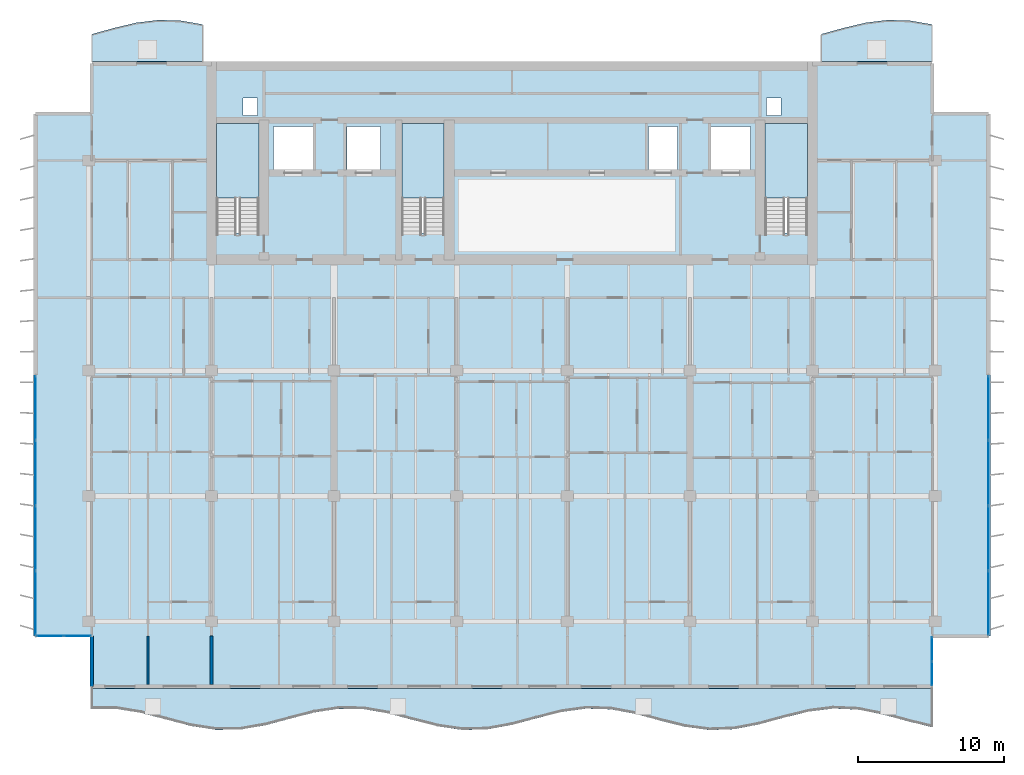
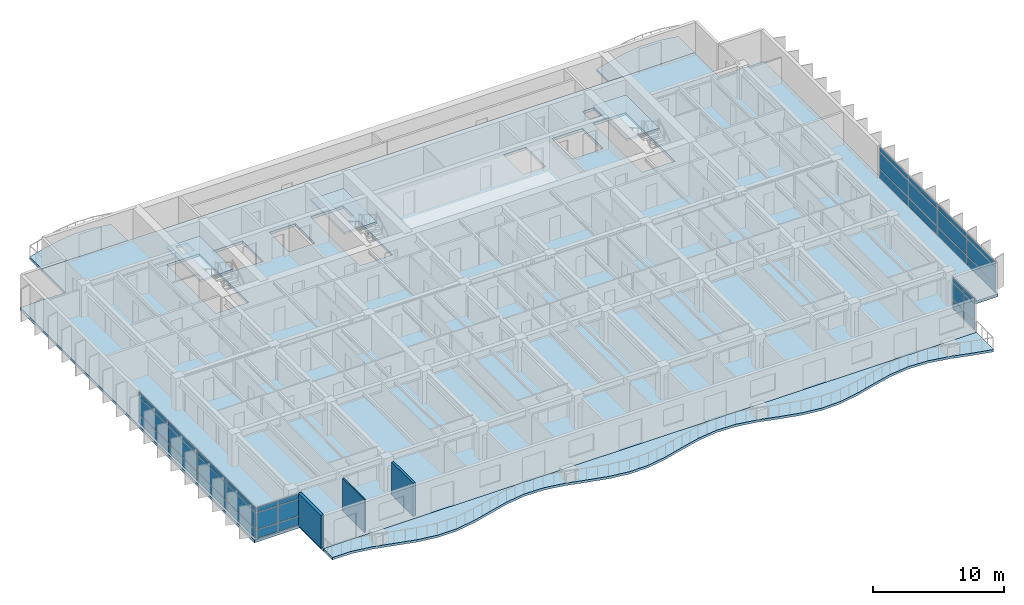
# One storey, part 7 of 19: 36 plates, 7 slabs, 3 walls, 7 elements without a shape of their own.
"""IFC4 building model written with IfcOpenShell, lengths in metres."""

import ifcopenshell
import ifcopenshell.guid

model = None  # the IFC model being written
_history = None  # IfcOwnerHistory: only IFC2X3 demands one
_inside = {}  # id of a spatial element -> (the spatial element, [elements in it])
_under = {}  # id of a project, library or spatial element -> (it, [spatial elements below it])
_declared = {}  # id of a project -> (the project, [libraries it declares])
_typed = {}  # id of a type object -> (the type object, [elements of that type])
_made_of = {}  # id of a material, layer set ... -> (it, [elements and type objects made of it])


def new_model(schema):
    """Start an empty IFC model of exactly this schema.

    Asked for "IFC4X3", IfcOpenShell would pick the latest addendum, in which some entities
    have other attributes; the version numbers below select the first issue.
    IFC2X3 requires an IfcOwnerHistory on every rooted entity: one is made here for all.
    """
    global model, _history
    if schema == "IFC4X3":
        model = ifcopenshell.file(schema_version=(4, 3, 0, 0))
    else:
        model = ifcopenshell.file(schema=schema)
    _inside.clear()
    _under.clear()
    _declared.clear()
    _typed.clear()
    _made_of.clear()
    _history = None
    if model.schema == "IFC2X3":
        org = make("IfcOrganization", Name="unknown")
        user = make(
            "IfcPersonAndOrganization",
            ThePerson=make("IfcPerson", FamilyName="unknown"),
            TheOrganization=org,
        )
        app = make(
            "IfcApplication",
            ApplicationDeveloper=org,
            Version="unknown",
            ApplicationFullName="unknown",
            ApplicationIdentifier="unknown",
        )
        _history = make(
            "IfcOwnerHistory",
            OwningUser=user,
            OwningApplication=app,
            ChangeAction="ADDED",
            CreationDate=0,
        )
    return model


def make(cls, **values):
    """One entity of the class cls with the attributes given. An attribute that is None is left unset."""
    return model.create_entity(
        cls, **{name: value for name, value in values.items() if value is not None}
    )


def rooted(cls, **values):
    """An entity with a GlobalId (a new one), such as an element, a storey or a relation."""
    return make(cls, GlobalId=ifcopenshell.guid.new(), OwnerHistory=_history, **values)


def si_unit(unit_type, name, prefix=None):
    """IfcSIUnit, for example si_unit("LENGTHUNIT", "METRE", prefix="MILLI")."""
    return make("IfcSIUnit", UnitType=unit_type, Prefix=prefix, Name=name)


def assignment(units):
    """IfcUnitAssignment: the units of a project."""
    return None if units is None else make("IfcUnitAssignment", Units=units)


def point(xyz):
    """IfcCartesianPoint."""
    return None if xyz is None else make("IfcCartesianPoint", Coordinates=xyz)


def direction(xyz):
    """IfcDirection."""
    return None if xyz is None else make("IfcDirection", DirectionRatios=xyz)


def frame(location, z_axis=None, x_axis=None):
    """IfcAxis2Placement3D, a coordinate frame: its origin and axes. An axis left out is left unset."""
    return make(
        "IfcAxis2Placement3D",
        Location=point(location),
        Axis=direction(z_axis),
        RefDirection=direction(x_axis),
    )


def frame_2d(location, x_axis=None):
    """IfcAxis2Placement2D, a coordinate frame in the plane: its origin and x axis."""
    return make(
        "IfcAxis2Placement2D", Location=point(location), RefDirection=direction(x_axis)
    )


def origin():
    """The frame at (0, 0, 0) with its axes left unset."""
    return frame((0.0, 0.0, 0.0))


def origin_2d():
    """The frame at (0, 0) in the plane with its x axis left unset."""
    return frame_2d((0.0, 0.0))


def place(relative_to, where):
    """IfcLocalPlacement: puts the frame where relative to a parent placement (None: the world)."""
    return make(
        "IfcLocalPlacement", PlacementRelTo=relative_to, RelativePlacement=where
    )


def context(
    kind, dimensions, precision=None, world=None, true_north=None, identifier=None
):
    """IfcGeometricRepresentationContext, for example the 3D "Model" context."""
    return make(
        "IfcGeometricRepresentationContext",
        ContextIdentifier=identifier,
        ContextType=kind,
        CoordinateSpaceDimension=dimensions,
        Precision=precision,
        WorldCoordinateSystem=world,
        TrueNorth=true_north,
    )


def subcontext(parent, identifier, kind, view, scale=None):
    """IfcGeometricRepresentationSubContext, for example "Body" below "Model"."""
    return make(
        "IfcGeometricRepresentationSubContext",
        ContextIdentifier=identifier,
        ContextType=kind,
        ParentContext=parent,
        TargetScale=scale,
        TargetView=view,
    )


def project(units=None, contexts=None):
    """IfcProject with its units and contexts."""
    return rooted(
        "IfcProject",
        Name="project",
        RepresentationContexts=contexts,
        UnitsInContext=assignment(units),
    )


def spatial(cls, under=None, at=None, **own):
    """A site, building, storey or space (cls), placed at a placement, below another one or the project."""
    s = rooted(cls, ObjectPlacement=at, **own)
    if under is not None:
        _under.setdefault(under.id(), (under, []))[1].append(s)
    return s


def polyline(points):
    """IfcPolyline through the points."""
    return make("IfcPolyline", Points=[point(p) for p in points])


def profile(cls, at=None, kind="AREA", **sizes):
    """A parametric profile (cls). Its sizes go by their IFC names, for example OverallWidth=200.0."""
    return make(cls, ProfileType=kind, Position=at, **sizes)


def rectangle(**sizes):
    """IfcRectangleProfileDef."""
    return profile("IfcRectangleProfileDef", **sizes)


def outline(outer, holes=None, kind="AREA"):
    """IfcArbitraryClosedProfileDef: a profile drawn as a closed curve; with holes, ...WithVoids."""
    if holes is None:
        return make("IfcArbitraryClosedProfileDef", ProfileType=kind, OuterCurve=outer)
    return make(
        "IfcArbitraryProfileDefWithVoids",
        ProfileType=kind,
        OuterCurve=outer,
        InnerCurves=holes,
    )


def extrude(swept, where, along, depth):
    """IfcExtrudedAreaSolid: the profile swept, set in the frame where, extruded along a direction by depth."""
    return make(
        "IfcExtrudedAreaSolid",
        SweptArea=swept,
        Position=where,
        ExtrudedDirection=direction(along),
        Depth=depth,
    )


def shape(context_of_items, identifier, shape_type, items):
    """IfcShapeRepresentation: the items that make up one representation, for example the "Body"."""
    return make(
        "IfcShapeRepresentation",
        ContextOfItems=context_of_items,
        RepresentationIdentifier=identifier,
        RepresentationType=shape_type,
        Items=items,
    )


def material(Name=None, Category=None):
    """IfcMaterial."""
    return make("IfcMaterial", Name=Name, Category=Category)


def layer(
    of_material, thickness, ventilated=None, Name=None, Category=None, Priority=None
):
    """IfcMaterialLayer: one layer of a wall or slab, of a material (None: an air gap)."""
    return make(
        "IfcMaterialLayer",
        Material=of_material,
        LayerThickness=thickness,
        IsVentilated=ventilated,
        Name=Name,
        Category=Category,
        Priority=Priority,
    )


def layer_set(layers, Name=None):
    """IfcMaterialLayerSet."""
    return make("IfcMaterialLayerSet", MaterialLayers=layers, LayerSetName=Name)


def made_of(thing, what):
    """Note that an element or type object is made of a material, layer set ...; save() writes the relation."""
    if what is not None:
        _made_of.setdefault(what.id(), (what, []))[1].append(thing)
    return thing


def type_object(cls, material=None, **own):
    """A type object (cls), such as IfcWallType, which elements share."""
    return made_of(rooted(cls, **own), material)


def element(
    cls,
    number,
    at=None,
    inside=None,
    cuts=None,
    type_object=None,
    material=None,
    context=None,
    identifier="Body",
    shape_type=None,
    held_by="IfcProductDefinitionShape",
    body=None,
    shapes=None,
    **own,
):
    """One element of the class cls, such as IfcWall. Its Tag is "e" and its number.

    at: its placement. inside: the storey or other place that contains it. cuts: it is an
    opening in that element (IfcRelVoidsElement). A single representation is given by context,
    identifier, shape_type and body (its items); several are given by shapes. held_by: the class
    of the entity that holds the representations. save() writes the other relations.
    """
    e = rooted(cls, Tag="e%d" % number, ObjectPlacement=at, **own)
    if body is not None:
        shapes = [shape(context, identifier, shape_type, body)]
    if shapes is not None:
        e.Representation = make(held_by, Representations=shapes)
    if inside is not None:
        _inside.setdefault(inside.id(), (inside, []))[1].append(e)
    if cuts is not None:
        rooted(
            "IfcRelVoidsElement", RelatingBuildingElement=cuts, RelatedOpeningElement=e
        )
    if type_object is not None:
        _typed.setdefault(type_object.id(), (type_object, []))[1].append(e)
    return made_of(e, material)


def aggregate(whole, parts):
    """IfcRelAggregates: a whole, such as a stair, and the parts it consists of."""
    return rooted("IfcRelAggregates", RelatingObject=whole, RelatedObjects=parts)


def save(model, path):
    """Write the relations noted so far, then the file.

    IfcRelAggregates (storeys below a building ...), IfcRelContainedInSpatialStructure (elements
    in a storey), IfcRelDefinesByType, IfcRelAssociatesMaterial and IfcRelDeclares: one each for
    every whole, place, type object, material and project.
    """
    for whole, parts in _under.values():
        aggregate(whole, parts)
    for where, things in _inside.values():
        rooted(
            "IfcRelContainedInSpatialStructure",
            RelatedElements=things,
            RelatingStructure=where,
        )
    for kind, things in _typed.values():
        rooted("IfcRelDefinesByType", RelatedObjects=things, RelatingType=kind)
    for what, things in _made_of.values():
        rooted("IfcRelAssociatesMaterial", RelatedObjects=things, RelatingMaterial=what)
    for by, libraries in _declared.values():
        rooted("IfcRelDeclares", RelatingContext=by, RelatedDefinitions=libraries)
    model.write(path)


model = new_model("IFC4")

# Units and contexts
model_context = context("Model", 3, precision=1e-05, world=origin(), true_north=direction((0.0, 1.0)))
body_context = subcontext(model_context, "Body", "Model", "MODEL_VIEW")
ifc_project = project(units=[si_unit("LENGTHUNIT", "METRE"), si_unit("AREAUNIT", "SQUARE_METRE"), si_unit("VOLUMEUNIT", "CUBIC_METRE"), si_unit("PLANEANGLEUNIT", "RADIAN"), si_unit("MASSUNIT", "GRAM", prefix="KILO")], contexts=[model_context])

# Site, building, storey
site_placement = place(None, origin())
site = spatial("IfcSite", under=ifc_project, at=site_placement, CompositionType="ELEMENT")
building_placement = place(site_placement, origin())
building = spatial("IfcBuilding", under=site, at=building_placement, Name="Caelmar Bay Residences", CompositionType="ELEMENT")
storey_placement = place(building_placement, frame((0.0, 0.0, 214.800048828125)))
storey = spatial("IfcBuildingStorey", under=building, at=storey_placement, Name="L60", CompositionType="ELEMENT", Elevation=214.800048828125)

# Curtain wall, plates
ifc_material_1 = material(Name="Anodised bronze aluminium 6063-T6 and laminated glass", Category="aluminium")
ifc_layer_1 = layer(ifc_material_1, 0.179931640625)
ifc_layer_set_1 = layer_set([ifc_layer_1], Name="Anodised bronze aluminium 6063-T6 and laminated glass")
curtain_wall_type_1 = type_object("IfcCurtainWallType", Name="CW6-NTC", PredefinedType="NOTDEFINED", material=ifc_layer_set_1)
curtain_wall_1_placement = place(storey_placement, origin())
curtain_wall_1 = element("IfcCurtainWall", 1, at=curtain_wall_1_placement, inside=storey, type_object=curtain_wall_type_1, Name="CW6 curtain wall L60", PredefinedType="NOTDEFINED")
ifc_material_2 = material(Name="Bronze-tinted laminated low-E hurricane glass 28 mm", Category="glass")
ifc_layer_2 = layer(ifc_material_2, 0.028076171875)
ifc_layer_set_2 = layer_set([ifc_layer_2], Name="Bronze-tinted laminated low-E hurricane glass 28 mm")
plate_type = type_object("IfcPlateType", Name="CWP-GLZ28", PredefinedType="CURTAIN_PANEL", material=ifc_layer_set_2)
plate_1_placement = place(storey_placement, frame((7.232421875, 11.199951171875, 0.080078125), z_axis=(0.0, 0.0, 1.0), x_axis=(1.0, 0.0, 0.0)))
plate_1 = element("IfcPlate", 2, at=plate_1_placement, type_object=plate_type, Name="CW6 panel 1.1", PredefinedType="CURTAIN_PANEL", context=body_context, shape_type="SweptSolid", body=[
    extrude(rectangle(XDim=1.804931640625, YDim=0.028076171875, at=origin_2d()), origin(), (0.0, 0.0, 1.0), 0.780029296875),
])
plate_2_placement = place(storey_placement, frame((7.232421875, 11.199951171875, 0.93994140625), z_axis=(0.0, 0.0, 1.0), x_axis=(1.0, 0.0, 0.0)))
plate_2 = element("IfcPlate", 3, at=plate_2_placement, type_object=plate_type, Name="CW6 panel 1.2", PredefinedType="CURTAIN_PANEL", context=body_context, shape_type="SweptSolid", body=[
    extrude(rectangle(XDim=1.804931640625, YDim=0.028076171875, at=origin_2d()), origin(), (0.0, 0.0, 1.0), 1.52001953125),
])
plate_3_placement = place(storey_placement, frame((7.232421875, 11.199951171875, 2.5400390625), z_axis=(0.0, 0.0, 1.0), x_axis=(1.0, 0.0, 0.0)))
plate_3 = element("IfcPlate", 4, at=plate_3_placement, type_object=plate_type, Name="CW6 panel 1.3", PredefinedType="CURTAIN_PANEL", context=body_context, shape_type="SweptSolid", body=[
    extrude(rectangle(XDim=1.804931640625, YDim=0.028076171875, at=origin_2d()), origin(), (0.0, 0.0, 1.0), 0.429931640625),
])
plate_4_placement = place(storey_placement, frame((9.117431640625, 11.199951171875, 0.080078125), z_axis=(0.0, 0.0, 1.0), x_axis=(1.0, 0.0, 0.0)))
plate_4 = element("IfcPlate", 5, at=plate_4_placement, type_object=plate_type, Name="CW6 panel 2.1", PredefinedType="CURTAIN_PANEL", context=body_context, shape_type="SweptSolid", body=[
    extrude(rectangle(XDim=1.804931640625, YDim=0.028076171875, at=origin_2d()), origin(), (0.0, 0.0, 1.0), 0.780029296875),
])
plate_5_placement = place(storey_placement, frame((9.117431640625, 11.199951171875, 0.93994140625), z_axis=(0.0, 0.0, 1.0), x_axis=(1.0, 0.0, 0.0)))
plate_5 = element("IfcPlate", 6, at=plate_5_placement, type_object=plate_type, Name="CW6 panel 2.2", PredefinedType="CURTAIN_PANEL", context=body_context, shape_type="SweptSolid", body=[
    extrude(rectangle(XDim=1.804931640625, YDim=0.028076171875, at=origin_2d()), origin(), (0.0, 0.0, 1.0), 1.52001953125),
])
plate_6_placement = place(storey_placement, frame((9.117431640625, 11.199951171875, 2.5400390625), z_axis=(0.0, 0.0, 1.0), x_axis=(1.0, 0.0, 0.0)))
plate_6 = element("IfcPlate", 7, at=plate_6_placement, type_object=plate_type, Name="CW6 panel 2.3", PredefinedType="CURTAIN_PANEL", context=body_context, shape_type="SweptSolid", body=[
    extrude(rectangle(XDim=1.804931640625, YDim=0.028076171875, at=origin_2d()), origin(), (0.0, 0.0, 1.0), 0.429931640625),
])
aggregate(curtain_wall_1, [plate_1, plate_2, plate_3, plate_4, plate_5, plate_6])

curtain_wall_2_placement = place(storey_placement, origin())
curtain_wall_2 = element("IfcCurtainWall", 8, at=curtain_wall_2_placement, inside=storey, type_object=curtain_wall_type_1, Name="CW6 curtain wall L60", PredefinedType="NOTDEFINED")
plate_7_placement = place(storey_placement, frame((67.699951171875, 8.632568359375, 0.080078125), z_axis=(0.0, 0.0, 1.0), x_axis=(0.0, 1.0, 0.0)))
plate_7 = element("IfcPlate", 9, at=plate_7_placement, type_object=plate_type, Name="CW6 panel 1.1", PredefinedType="CURTAIN_PANEL", context=body_context, shape_type="SweptSolid", body=[
    extrude(rectangle(XDim=1.60498046875, YDim=0.028076171875, at=origin_2d()), origin(), (0.0, 0.0, 1.0), 0.780029296875),
])
plate_8_placement = place(storey_placement, frame((67.699951171875, 8.632568359375, 0.93994140625), z_axis=(0.0, 0.0, 1.0), x_axis=(0.0, 1.0, 0.0)))
plate_8 = element("IfcPlate", 10, at=plate_8_placement, type_object=plate_type, Name="CW6 panel 1.2", PredefinedType="CURTAIN_PANEL", context=body_context, shape_type="SweptSolid", body=[
    extrude(rectangle(XDim=1.60498046875, YDim=0.028076171875, at=origin_2d()), origin(), (0.0, 0.0, 1.0), 1.52001953125),
])
plate_9_placement = place(storey_placement, frame((67.699951171875, 8.632568359375, 2.5400390625), z_axis=(0.0, 0.0, 1.0), x_axis=(0.0, 1.0, 0.0)))
plate_9 = element("IfcPlate", 11, at=plate_9_placement, type_object=plate_type, Name="CW6 panel 1.3", PredefinedType="CURTAIN_PANEL", context=body_context, shape_type="SweptSolid", body=[
    extrude(rectangle(XDim=1.60498046875, YDim=0.028076171875, at=origin_2d()), origin(), (0.0, 0.0, 1.0), 0.429931640625),
])
plate_10_placement = place(storey_placement, frame((67.699951171875, 10.3173828125, 0.080078125), z_axis=(0.0, 0.0, 1.0), x_axis=(0.0, 1.0, 0.0)))
plate_10 = element("IfcPlate", 12, at=plate_10_placement, type_object=plate_type, Name="CW6 panel 2.1", PredefinedType="CURTAIN_PANEL", context=body_context, shape_type="SweptSolid", body=[
    extrude(rectangle(XDim=1.60498046875, YDim=0.028076171875, at=origin_2d()), origin(), (0.0, 0.0, 1.0), 0.780029296875),
])
plate_11_placement = place(storey_placement, frame((67.699951171875, 10.3173828125, 0.93994140625), z_axis=(0.0, 0.0, 1.0), x_axis=(0.0, 1.0, 0.0)))
plate_11 = element("IfcPlate", 13, at=plate_11_placement, type_object=plate_type, Name="CW6 panel 2.2", PredefinedType="CURTAIN_PANEL", context=body_context, shape_type="SweptSolid", body=[
    extrude(rectangle(XDim=1.60498046875, YDim=0.028076171875, at=origin_2d()), origin(), (0.0, 0.0, 1.0), 1.52001953125),
])
plate_12_placement = place(storey_placement, frame((67.699951171875, 10.3173828125, 2.5400390625), z_axis=(0.0, 0.0, 1.0), x_axis=(0.0, 1.0, 0.0)))
plate_12 = element("IfcPlate", 14, at=plate_12_placement, type_object=plate_type, Name="CW6 panel 2.3", PredefinedType="CURTAIN_PANEL", context=body_context, shape_type="SweptSolid", body=[
    extrude(rectangle(XDim=1.60498046875, YDim=0.028076171875, at=origin_2d()), origin(), (0.0, 0.0, 1.0), 0.429931640625),
])
aggregate(curtain_wall_2, [plate_7, plate_8, plate_9, plate_10, plate_11, plate_12])

ifc_layer_3 = layer(ifc_material_1, 0.179931640625)
ifc_layer_set_3 = layer_set([ifc_layer_3], Name="Anodised bronze aluminium 6063-T6 and laminated glass")
curtain_wall_type_2 = type_object("IfcCurtainWallType", Name="CW4-Z3", PredefinedType="NOTDEFINED", material=ifc_layer_set_3)
curtain_wall_3_placement = place(storey_placement, origin())
curtain_wall_3 = element("IfcCurtainWall", 15, at=curtain_wall_3_placement, inside=storey, type_object=curtain_wall_type_2, Name="CW4 curtain wall L60", PredefinedType="NOTDEFINED")
plate_13_placement = place(storey_placement, frame((6.25, 13.45751953125, 0.080078125), z_axis=(0.0, 0.0, 1.0), x_axis=(0.0, 1.0, 0.0)))
plate_13 = element("IfcPlate", 16, at=plate_13_placement, type_object=plate_type, Name="CW4 panel 1.1", PredefinedType="CURTAIN_PANEL", context=body_context, shape_type="SweptSolid", body=[
    extrude(rectangle(XDim=4.35498046875, YDim=0.028076171875, at=origin_2d()), origin(), (0.0, 0.0, 1.0), 0.780029296875),
])
plate_14_placement = place(storey_placement, frame((6.25, 13.45751953125, 0.93994140625), z_axis=(0.0, 0.0, 1.0), x_axis=(0.0, 1.0, 0.0)))
plate_14 = element("IfcPlate", 17, at=plate_14_placement, type_object=plate_type, Name="CW4 panel 1.2", PredefinedType="CURTAIN_PANEL", context=body_context, shape_type="SweptSolid", body=[
    extrude(rectangle(XDim=4.35498046875, YDim=0.028076171875, at=origin_2d()), origin(), (0.0, 0.0, 1.0), 1.52001953125),
])
plate_15_placement = place(storey_placement, frame((6.25, 13.45751953125, 2.5400390625), z_axis=(0.0, 0.0, 1.0), x_axis=(0.0, 1.0, 0.0)))
plate_15 = element("IfcPlate", 18, at=plate_15_placement, type_object=plate_type, Name="CW4 panel 1.3", PredefinedType="CURTAIN_PANEL", context=body_context, shape_type="SweptSolid", body=[
    extrude(rectangle(XDim=4.35498046875, YDim=0.028076171875, at=origin_2d()), origin(), (0.0, 0.0, 1.0), 0.429931640625),
])
plate_16_placement = place(storey_placement, frame((6.25, 17.91259765625, 0.080078125), z_axis=(0.0, 0.0, 1.0), x_axis=(0.0, 1.0, 0.0)))
plate_16 = element("IfcPlate", 19, at=plate_16_placement, type_object=plate_type, Name="CW4 panel 2.1", PredefinedType="CURTAIN_PANEL", context=body_context, shape_type="SweptSolid", body=[
    extrude(rectangle(XDim=4.39501953125, YDim=0.028076171875, at=origin_2d()), origin(), (0.0, 0.0, 1.0), 0.780029296875),
])
plate_17_placement = place(storey_placement, frame((6.25, 17.91259765625, 0.93994140625), z_axis=(0.0, 0.0, 1.0), x_axis=(0.0, 1.0, 0.0)))
plate_17 = element("IfcPlate", 20, at=plate_17_placement, type_object=plate_type, Name="CW4 panel 2.2", PredefinedType="CURTAIN_PANEL", context=body_context, shape_type="SweptSolid", body=[
    extrude(rectangle(XDim=4.39501953125, YDim=0.028076171875, at=origin_2d()), origin(), (0.0, 0.0, 1.0), 1.52001953125),
])
plate_18_placement = place(storey_placement, frame((6.25, 17.91259765625, 2.5400390625), z_axis=(0.0, 0.0, 1.0), x_axis=(0.0, 1.0, 0.0)))
plate_18 = element("IfcPlate", 21, at=plate_18_placement, type_object=plate_type, Name="CW4 panel 2.3", PredefinedType="CURTAIN_PANEL", context=body_context, shape_type="SweptSolid", body=[
    extrude(rectangle(XDim=4.39501953125, YDim=0.028076171875, at=origin_2d()), origin(), (0.0, 0.0, 1.0), 0.429931640625),
])
plate_19_placement = place(storey_placement, frame((6.25, 22.387451171875, 0.080078125), z_axis=(0.0, 0.0, 1.0), x_axis=(0.0, 1.0, 0.0)))
plate_19 = element("IfcPlate", 22, at=plate_19_placement, type_object=plate_type, Name="CW4 panel 3.1", PredefinedType="CURTAIN_PANEL", context=body_context, shape_type="SweptSolid", body=[
    extrude(rectangle(XDim=4.39501953125, YDim=0.028076171875, at=origin_2d()), origin(), (0.0, 0.0, 1.0), 0.780029296875),
])
plate_20_placement = place(storey_placement, frame((6.25, 22.387451171875, 0.93994140625), z_axis=(0.0, 0.0, 1.0), x_axis=(0.0, 1.0, 0.0)))
plate_20 = element("IfcPlate", 23, at=plate_20_placement, type_object=plate_type, Name="CW4 panel 3.2", PredefinedType="CURTAIN_PANEL", context=body_context, shape_type="SweptSolid", body=[
    extrude(rectangle(XDim=4.39501953125, YDim=0.028076171875, at=origin_2d()), origin(), (0.0, 0.0, 1.0), 1.52001953125),
])
plate_21_placement = place(storey_placement, frame((6.25, 22.387451171875, 2.5400390625), z_axis=(0.0, 0.0, 1.0), x_axis=(0.0, 1.0, 0.0)))
plate_21 = element("IfcPlate", 24, at=plate_21_placement, type_object=plate_type, Name="CW4 panel 3.3", PredefinedType="CURTAIN_PANEL", context=body_context, shape_type="SweptSolid", body=[
    extrude(rectangle(XDim=4.39501953125, YDim=0.028076171875, at=origin_2d()), origin(), (0.0, 0.0, 1.0), 0.429931640625),
])
plate_22_placement = place(storey_placement, frame((6.25, 26.842529296875, 0.080078125), z_axis=(0.0, 0.0, 1.0), x_axis=(0.0, 1.0, 0.0)))
plate_22 = element("IfcPlate", 25, at=plate_22_placement, type_object=plate_type, Name="CW4 panel 4.1", PredefinedType="CURTAIN_PANEL", context=body_context, shape_type="SweptSolid", body=[
    extrude(rectangle(XDim=4.35498046875, YDim=0.028076171875, at=origin_2d()), origin(), (0.0, 0.0, 1.0), 0.780029296875),
])
plate_23_placement = place(storey_placement, frame((6.25, 26.842529296875, 0.93994140625), z_axis=(0.0, 0.0, 1.0), x_axis=(0.0, 1.0, 0.0)))
plate_23 = element("IfcPlate", 26, at=plate_23_placement, type_object=plate_type, Name="CW4 panel 4.2", PredefinedType="CURTAIN_PANEL", context=body_context, shape_type="SweptSolid", body=[
    extrude(rectangle(XDim=4.35498046875, YDim=0.028076171875, at=origin_2d()), origin(), (0.0, 0.0, 1.0), 1.52001953125),
])
plate_24_placement = place(storey_placement, frame((6.25, 26.842529296875, 2.5400390625), z_axis=(0.0, 0.0, 1.0), x_axis=(0.0, 1.0, 0.0)))
plate_24 = element("IfcPlate", 27, at=plate_24_placement, type_object=plate_type, Name="CW4 panel 4.3", PredefinedType="CURTAIN_PANEL", context=body_context, shape_type="SweptSolid", body=[
    extrude(rectangle(XDim=4.35498046875, YDim=0.028076171875, at=origin_2d()), origin(), (0.0, 0.0, 1.0), 0.429931640625),
])
aggregate(curtain_wall_3, [plate_13, plate_14, plate_15, plate_16, plate_17, plate_18, plate_19, plate_20, plate_21, plate_22, plate_23, plate_24])

curtain_wall_4_placement = place(storey_placement, origin())
curtain_wall_4 = element("IfcCurtainWall", 28, at=curtain_wall_4_placement, inside=storey, type_object=curtain_wall_type_2, Name="CW4 curtain wall L60", PredefinedType="NOTDEFINED")
plate_25_placement = place(storey_placement, frame((71.550048828125, 26.842529296875, 0.080078125), z_axis=(0.0, 0.0, 1.0), x_axis=(0.0, -1.0, 0.0)))
plate_25 = element("IfcPlate", 29, at=plate_25_placement, type_object=plate_type, Name="CW4 panel 1.1", PredefinedType="CURTAIN_PANEL", context=body_context, shape_type="SweptSolid", body=[
    extrude(rectangle(XDim=4.35498046875, YDim=0.028076171875, at=origin_2d()), origin(), (0.0, 0.0, 1.0), 0.780029296875),
])
plate_26_placement = place(storey_placement, frame((71.550048828125, 26.842529296875, 0.93994140625), z_axis=(0.0, 0.0, 1.0), x_axis=(0.0, -1.0, 0.0)))
plate_26 = element("IfcPlate", 30, at=plate_26_placement, type_object=plate_type, Name="CW4 panel 1.2", PredefinedType="CURTAIN_PANEL", context=body_context, shape_type="SweptSolid", body=[
    extrude(rectangle(XDim=4.35498046875, YDim=0.028076171875, at=origin_2d()), origin(), (0.0, 0.0, 1.0), 1.52001953125),
])
plate_27_placement = place(storey_placement, frame((71.550048828125, 26.842529296875, 2.5400390625), z_axis=(0.0, 0.0, 1.0), x_axis=(0.0, -1.0, 0.0)))
plate_27 = element("IfcPlate", 31, at=plate_27_placement, type_object=plate_type, Name="CW4 panel 1.3", PredefinedType="CURTAIN_PANEL", context=body_context, shape_type="SweptSolid", body=[
    extrude(rectangle(XDim=4.35498046875, YDim=0.028076171875, at=origin_2d()), origin(), (0.0, 0.0, 1.0), 0.429931640625),
])
plate_28_placement = place(storey_placement, frame((71.550048828125, 22.387451171875, 0.080078125), z_axis=(0.0, 0.0, 1.0), x_axis=(0.0, -1.0, 0.0)))
plate_28 = element("IfcPlate", 32, at=plate_28_placement, type_object=plate_type, Name="CW4 panel 2.1", PredefinedType="CURTAIN_PANEL", context=body_context, shape_type="SweptSolid", body=[
    extrude(rectangle(XDim=4.39501953125, YDim=0.028076171875, at=origin_2d()), origin(), (0.0, 0.0, 1.0), 0.780029296875),
])
plate_29_placement = place(storey_placement, frame((71.550048828125, 22.387451171875, 0.93994140625), z_axis=(0.0, 0.0, 1.0), x_axis=(0.0, -1.0, 0.0)))
plate_29 = element("IfcPlate", 33, at=plate_29_placement, type_object=plate_type, Name="CW4 panel 2.2", PredefinedType="CURTAIN_PANEL", context=body_context, shape_type="SweptSolid", body=[
    extrude(rectangle(XDim=4.39501953125, YDim=0.028076171875, at=origin_2d()), origin(), (0.0, 0.0, 1.0), 1.52001953125),
])
plate_30_placement = place(storey_placement, frame((71.550048828125, 22.387451171875, 2.5400390625), z_axis=(0.0, 0.0, 1.0), x_axis=(0.0, -1.0, 0.0)))
plate_30 = element("IfcPlate", 34, at=plate_30_placement, type_object=plate_type, Name="CW4 panel 2.3", PredefinedType="CURTAIN_PANEL", context=body_context, shape_type="SweptSolid", body=[
    extrude(rectangle(XDim=4.39501953125, YDim=0.028076171875, at=origin_2d()), origin(), (0.0, 0.0, 1.0), 0.429931640625),
])
plate_31_placement = place(storey_placement, frame((71.550048828125, 17.91259765625, 0.080078125), z_axis=(0.0, 0.0, 1.0), x_axis=(0.0, -1.0, 0.0)))
plate_31 = element("IfcPlate", 35, at=plate_31_placement, type_object=plate_type, Name="CW4 panel 3.1", PredefinedType="CURTAIN_PANEL", context=body_context, shape_type="SweptSolid", body=[
    extrude(rectangle(XDim=4.39501953125, YDim=0.028076171875, at=origin_2d()), origin(), (0.0, 0.0, 1.0), 0.780029296875),
])
plate_32_placement = place(storey_placement, frame((71.550048828125, 17.91259765625, 0.93994140625), z_axis=(0.0, 0.0, 1.0), x_axis=(0.0, -1.0, 0.0)))
plate_32 = element("IfcPlate", 36, at=plate_32_placement, type_object=plate_type, Name="CW4 panel 3.2", PredefinedType="CURTAIN_PANEL", context=body_context, shape_type="SweptSolid", body=[
    extrude(rectangle(XDim=4.39501953125, YDim=0.028076171875, at=origin_2d()), origin(), (0.0, 0.0, 1.0), 1.52001953125),
])
plate_33_placement = place(storey_placement, frame((71.550048828125, 17.91259765625, 2.5400390625), z_axis=(0.0, 0.0, 1.0), x_axis=(0.0, -1.0, 0.0)))
plate_33 = element("IfcPlate", 37, at=plate_33_placement, type_object=plate_type, Name="CW4 panel 3.3", PredefinedType="CURTAIN_PANEL", context=body_context, shape_type="SweptSolid", body=[
    extrude(rectangle(XDim=4.39501953125, YDim=0.028076171875, at=origin_2d()), origin(), (0.0, 0.0, 1.0), 0.429931640625),
])
plate_34_placement = place(storey_placement, frame((71.550048828125, 13.45751953125, 0.080078125), z_axis=(0.0, 0.0, 1.0), x_axis=(0.0, -1.0, 0.0)))
plate_34 = element("IfcPlate", 38, at=plate_34_placement, type_object=plate_type, Name="CW4 panel 4.1", PredefinedType="CURTAIN_PANEL", context=body_context, shape_type="SweptSolid", body=[
    extrude(rectangle(XDim=4.35498046875, YDim=0.028076171875, at=origin_2d()), origin(), (0.0, 0.0, 1.0), 0.780029296875),
])
plate_35_placement = place(storey_placement, frame((71.550048828125, 13.45751953125, 0.93994140625), z_axis=(0.0, 0.0, 1.0), x_axis=(0.0, -1.0, 0.0)))
plate_35 = element("IfcPlate", 39, at=plate_35_placement, type_object=plate_type, Name="CW4 panel 4.2", PredefinedType="CURTAIN_PANEL", context=body_context, shape_type="SweptSolid", body=[
    extrude(rectangle(XDim=4.35498046875, YDim=0.028076171875, at=origin_2d()), origin(), (0.0, 0.0, 1.0), 1.52001953125),
])
plate_36_placement = place(storey_placement, frame((71.550048828125, 13.45751953125, 2.5400390625), z_axis=(0.0, 0.0, 1.0), x_axis=(0.0, -1.0, 0.0)))
plate_36 = element("IfcPlate", 40, at=plate_36_placement, type_object=plate_type, Name="CW4 panel 4.3", PredefinedType="CURTAIN_PANEL", context=body_context, shape_type="SweptSolid", body=[
    extrude(rectangle(XDim=4.35498046875, YDim=0.028076171875, at=origin_2d()), origin(), (0.0, 0.0, 1.0), 0.429931640625),
])
aggregate(curtain_wall_4, [plate_25, plate_26, plate_27, plate_28, plate_29, plate_30, plate_31, plate_32, plate_33, plate_34, plate_35, plate_36])

# Slabs
ifc_material_3 = material(Name="Concrete f'c 40 MPa (6,000 psi)", Category="concrete")
ifc_layer_4 = layer(ifc_material_3, 0.219970703125)
ifc_layer_set_4 = layer_set([ifc_layer_4], Name="Concrete f'c 40 MPa (6,000 psi)")
slab_type_1 = type_object("IfcSlabType", Name="SLB-BAL-220", PredefinedType="FLOOR", material=ifc_layer_set_4)
slab_1_placement = place(storey_placement, frame((0.0, 0.0, -0.219970703125)))
element("IfcSlab", 41, at=slab_1_placement, inside=storey, type_object=slab_type_1, Name="L60 Sinusoidal Tree-Balcony Slab south", PredefinedType="FLOOR", context=body_context, shape_type="SweptSolid", body=[
    extrude(outline(polyline([(10.10009765625, 6.21337890625), (11.794189453125, 6.212158203125), (13.48828125, 5.934326171875), (15.182373046875, 5.488037109375), (16.87646484375, 5.04638671875), (18.570556640625, 4.78076171875), (20.2646484375, 4.79443359375), (21.958740234375, 5.081787109375), (23.65283203125, 5.53173828125), (25.34716796875, 5.96923828125), (27.041259765625, 6.224609375), (28.7353515625, 6.198486328125), (30.429443359375, 5.901611328125), (32.12353515625, 5.448486328125), (33.817626953125, 5.015625), (35.51171875, 4.7705078125), (37.205810546875, 4.808837890625), (38.89990234375, 5.115234375), (40.593994140625, 5.5712890625), (42.2880859375, 5.99951171875), (43.982421875, 6.23388671875), (45.676513671875, 6.183349609375), (47.37060546875, 5.867431640625), (49.064697265625, 5.4091796875), (50.7587890625, 4.986083984375), (52.452880859375, 4.762451171875), (54.147216796875, 4.8251953125), (55.84130859375, 5.14990234375), (57.535400390625, 5.610595703125), (59.2294921875, 6.0283203125), (60.923583984375, 6.240966796875), (62.61767578125, 6.166015625), (64.311767578125, 5.83251953125), (66.005859375, 5.3701171875), (67.699951171875, 4.9580078125), (67.699951171875, 7.60009765625), (10.10009765625, 7.60009765625), (10.10009765625, 6.21337890625)])), origin(), (0.0, 0.0, 1.0), 0.219970703125),
])
slab_2_placement = place(storey_placement, frame((0.0, 0.0, -0.219970703125)))
element("IfcSlab", 42, at=slab_2_placement, inside=storey, type_object=slab_type_1, Name="L60 Sinusoidal Tree-Balcony Slab north_west", PredefinedType="FLOOR", context=body_context, shape_type="SweptSolid", body=[
    extrude(outline(polyline([(10.10009765625, 50.60009765625), (17.699951171875, 50.60009765625), (17.699951171875, 53.131591796875), (16.179931640625, 53.39404296875), (14.659912109375, 53.43798828125), (13.139892578125, 53.249755859375), (11.6201171875, 52.888671875), (10.10009765625, 52.46826171875), (10.10009765625, 50.60009765625)])), origin(), (0.0, 0.0, 1.0), 0.219970703125),
])
slab_3_placement = place(storey_placement, frame((0.0, 0.0, -0.219970703125)))
element("IfcSlab", 43, at=slab_3_placement, inside=storey, type_object=slab_type_1, Name="L60 Sinusoidal Tree-Balcony Slab north_east", PredefinedType="FLOOR", context=body_context, shape_type="SweptSolid", body=[
    extrude(outline(polyline([(60.10009765625, 50.60009765625), (67.699951171875, 50.60009765625), (67.699951171875, 53.131591796875), (66.179931640625, 53.39404296875), (64.659912109375, 53.43798828125), (63.139892578125, 53.249755859375), (61.6201171875, 52.888671875), (60.10009765625, 52.46826171875), (60.10009765625, 50.60009765625)])), origin(), (0.0, 0.0, 1.0), 0.219970703125),
])

# Stair, slab
stair_type = type_object("IfcStairType", Name="ST-TYP-165", PredefinedType="HALF_TURN_STAIR", material=ifc_material_3)
stair_1_placement = place(storey_placement, origin())
stair_1 = element("IfcStair", 44, at=stair_1_placement, inside=storey, type_object=stair_type, Name="L60 West Smokeproof Exit Stair ST1", PredefinedType="HALF_TURN_STAIR")
ifc_layer_5 = layer(ifc_material_3, 0.199951171875)
ifc_layer_set_5 = layer_set([ifc_layer_5], Name="Concrete f'c 40 MPa (6,000 psi)")
slab_type_2 = type_object("IfcSlabType", Name="SLB-LND-200", PredefinedType="LANDING", material=ifc_layer_set_5)
slab_4_placement = place(storey_placement, frame((0.0, 0.0, 1.449951171875)))
slab_4 = element("IfcSlab", 45, at=slab_4_placement, type_object=slab_type_2, Name="ST1 landing 1", PredefinedType="LANDING", context=body_context, shape_type="SweptSolid", body=[
    extrude(outline(polyline([(21.550048828125, 41.219970703125), (21.550048828125, 46.35009765625), (18.64990234375, 46.35009765625), (18.64990234375, 41.219970703125), (21.550048828125, 41.219970703125)])), origin(), (0.0, 0.0, 1.0), 0.199951171875),
])
aggregate(stair_1, [slab_4])

stair_2_placement = place(storey_placement, origin())
stair_2 = element("IfcStair", 46, at=stair_2_placement, inside=storey, type_object=stair_type, Name="L60 East Smokeproof Exit Stair ST2", PredefinedType="HALF_TURN_STAIR")
slab_5_placement = place(storey_placement, frame((0.0, 0.0, 1.449951171875)))
slab_5 = element("IfcSlab", 47, at=slab_5_placement, type_object=slab_type_2, Name="ST2 landing 1", PredefinedType="LANDING", context=body_context, shape_type="SweptSolid", body=[
    extrude(outline(polyline([(59.14990234375, 41.219970703125), (59.14990234375, 46.35009765625), (56.25, 46.35009765625), (56.25, 41.219970703125), (59.14990234375, 41.219970703125)])), origin(), (0.0, 0.0, 1.0), 0.199951171875),
])
aggregate(stair_2, [slab_5])

stair_3_placement = place(storey_placement, origin())
stair_3 = element("IfcStair", 48, at=stair_3_placement, inside=storey, type_object=stair_type, Name="L60 Central Smokeproof Exit Stair ST3", PredefinedType="HALF_TURN_STAIR")
slab_6_placement = place(storey_placement, frame((0.0, 0.0, 1.449951171875)))
slab_6 = element("IfcSlab", 49, at=slab_6_placement, type_object=slab_type_2, Name="ST3 landing 1", PredefinedType="LANDING", context=body_context, shape_type="SweptSolid", body=[
    extrude(outline(polyline([(34.25, 41.219970703125), (34.25, 46.35009765625), (31.35009765625, 46.35009765625), (31.35009765625, 41.219970703125), (34.25, 41.219970703125)])), origin(), (0.0, 0.0, 1.0), 0.199951171875),
])
aggregate(stair_3, [slab_6])

# Slab
ifc_layer_6 = layer(ifc_material_3, 0.25)
ifc_layer_set_6 = layer_set([ifc_layer_6], Name="Concrete f'c 40 MPa (6,000 psi)")
slab_type_3 = type_object("IfcSlabType", Name="SLB-RES-250", PredefinedType="FLOOR", material=ifc_layer_set_6)
slab_7_placement = place(storey_placement, frame((0.0, 0.0, -0.25)))
element("IfcSlab", 50, at=slab_7_placement, inside=storey, type_object=slab_type_3, Name="L60 Structural Floor Slab", PredefinedType="FLOOR", context=body_context, shape_type="SweptSolid", body=[
    extrude(outline(polyline([(10.10009765625, 7.60009765625), (67.699951171875, 7.60009765625), (67.699951171875, 11.199951171875), (71.699951171875, 11.199951171875), (71.699951171875, 47.0), (67.699951171875, 47.0), (67.699951171875, 50.60009765625), (10.10009765625, 50.60009765625), (10.10009765625, 47.0), (6.10009765625, 47.0), (6.10009765625, 11.199951171875), (10.10009765625, 11.199951171875), (10.10009765625, 7.60009765625)]), holes=[polyline([(18.64990234375, 38.85009765625), (21.550048828125, 38.85009765625), (21.550048828125, 46.35009765625), (18.64990234375, 46.35009765625), (18.64990234375, 38.85009765625)]), polyline([(56.25, 38.85009765625), (59.14990234375, 38.85009765625), (59.14990234375, 46.35009765625), (56.25, 46.35009765625), (56.25, 38.85009765625)]), polyline([(31.35009765625, 38.85009765625), (34.25, 38.85009765625), (34.25, 46.35009765625), (31.35009765625, 46.35009765625), (31.35009765625, 38.85009765625)]), polyline([(22.550048828125, 43.050048828125), (25.25, 43.050048828125), (25.25, 46.14990234375), (22.550048828125, 46.14990234375), (22.550048828125, 43.050048828125)]), polyline([(52.550048828125, 43.050048828125), (55.25, 43.050048828125), (55.25, 46.14990234375), (52.550048828125, 46.14990234375), (52.550048828125, 43.050048828125)]), polyline([(48.25, 43.14990234375), (50.25, 43.14990234375), (50.25, 46.14990234375), (48.25, 46.14990234375), (48.25, 43.14990234375)]), polyline([(27.60009765625, 43.14990234375), (29.89990234375, 43.14990234375), (29.89990234375, 46.14990234375), (27.60009765625, 46.14990234375), (27.60009765625, 43.14990234375)]), polyline([(20.449951171875, 46.89990234375), (21.449951171875, 46.89990234375), (21.449951171875, 48.10009765625), (20.449951171875, 48.10009765625), (20.449951171875, 46.89990234375)]), polyline([(56.35009765625, 46.89990234375), (57.35009765625, 46.89990234375), (57.35009765625, 48.10009765625), (56.35009765625, 48.10009765625), (56.35009765625, 46.89990234375)])]), origin(), (0.0, 0.0, 1.0), 0.25),
])

# Walls
ifc_material_4 = material(Name="Precast concrete f'c 40 MPa (6,000 psi)", Category="concrete")
ifc_layer_7 = layer(ifc_material_4, 0.25)
ifc_layer_set_7 = layer_set([ifc_layer_7], Name="Precast concrete f'c 40 MPa (6,000 psi)")
wall_type_1 = type_object("IfcWallType", Name="W-EXT-250", PredefinedType="ELEMENTEDWALL", material=ifc_layer_set_7)
wall_1_placement = place(storey_placement, frame((10.10009765625, 11.199951171875, 0.0), z_axis=(0.0, 0.0, 1.0), x_axis=(0.0, -1.0, 0.0)))
element("IfcWall", 51, at=wall_1_placement, inside=storey, type_object=wall_type_1, Name="L60 SW Notch Return Wall", PredefinedType="ELEMENTEDWALL", context=body_context, shape_type="SweptSolid", body=[
    extrude(rectangle(XDim=3.449951171875, YDim=0.25, at=frame_2d((1.72509765625, 0.0))), origin(), (0.0, 0.0, 1.0), 3.050048828125),
])
ifc_material_5 = material(Name="Acoustic metal-stud gypsum partition 120 mm")
ifc_layer_8 = layer(ifc_material_5, 0.1201171875)
ifc_layer_set_8 = layer_set([ifc_layer_8], Name="Acoustic metal-stud gypsum partition 120 mm")
wall_type_2 = type_object("IfcWallType", Name="W-PRT-120", PredefinedType="PARTITIONING", material=ifc_layer_set_8)
wall_2_placement = place(storey_placement, frame((13.9541015625, 7.89501953125, 0.0), z_axis=(0.0, 0.0, 1.0), x_axis=(0.0, 1.0, 0.0)))
element("IfcWall", 52, at=wall_2_placement, inside=storey, type_object=wall_type_2, Name="L60 Partition Wall V010", PredefinedType="PARTITIONING", context=body_context, shape_type="SweptSolid", body=[
    extrude(rectangle(XDim=3.304931640625, YDim=0.1201171875, at=frame_2d((1.65234375, 0.0))), origin(), (0.0, 0.0, 1.0), 3.050048828125),
])
ifc_material_6 = material(Name="Acoustic twin-stud fire-rated inter-tenancy partition 200 mm")
ifc_layer_9 = layer(ifc_material_6, 0.199951171875)
ifc_layer_set_9 = layer_set([ifc_layer_9], Name="Acoustic twin-stud fire-rated inter-tenancy partition 200 mm")
wall_type_3 = type_object("IfcWallType", Name="W-PTY-200", PredefinedType="PARTITIONING", material=ifc_layer_set_9)
wall_3_placement = place(storey_placement, frame((18.300048828125, 7.89501953125, 0.0), z_axis=(0.0, 0.0, 1.0), x_axis=(0.0, 1.0, 0.0)))
element("IfcWall", 53, at=wall_3_placement, inside=storey, type_object=wall_type_3, Name="L60 Partition Wall V017", PredefinedType="PARTITIONING", context=body_context, shape_type="SweptSolid", body=[
    extrude(rectangle(XDim=3.304931640625, YDim=0.199951171875, at=frame_2d((1.65234375, 0.0))), origin(), (0.0, 0.0, 1.0), 3.050048828125),
])

save(model, "model.ifc")
